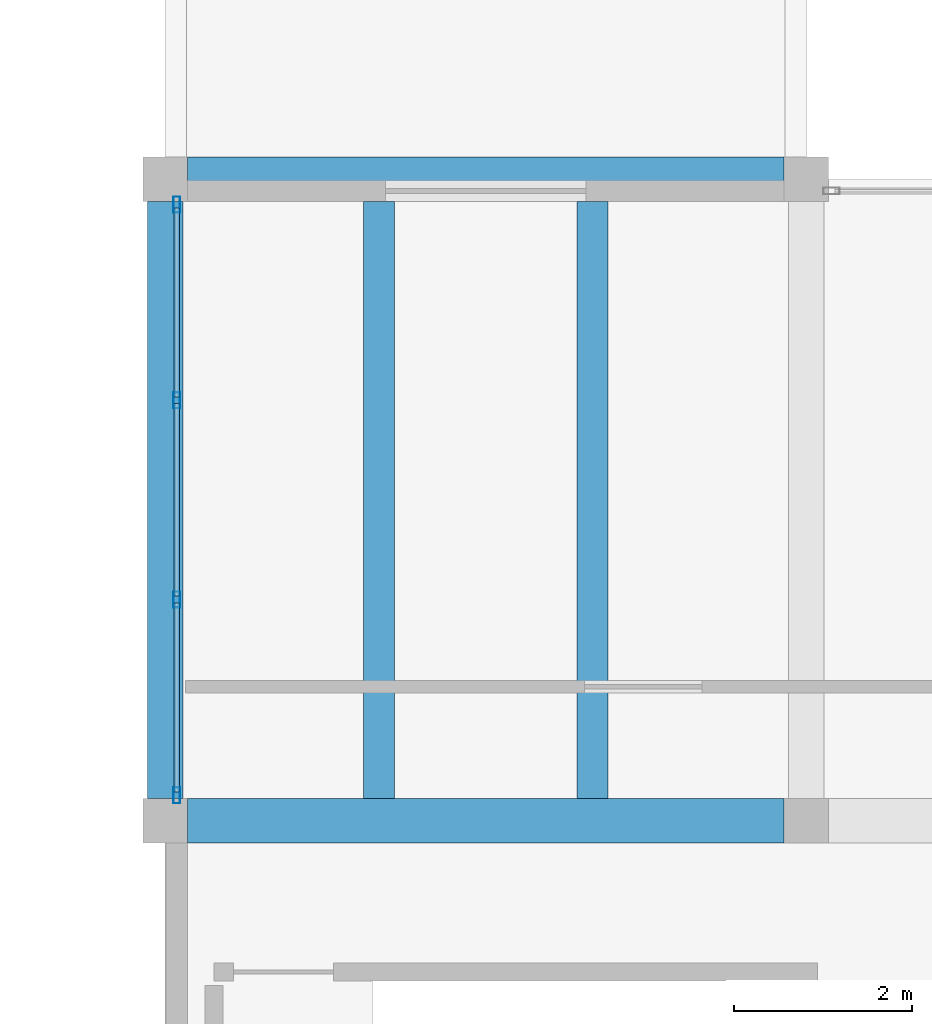
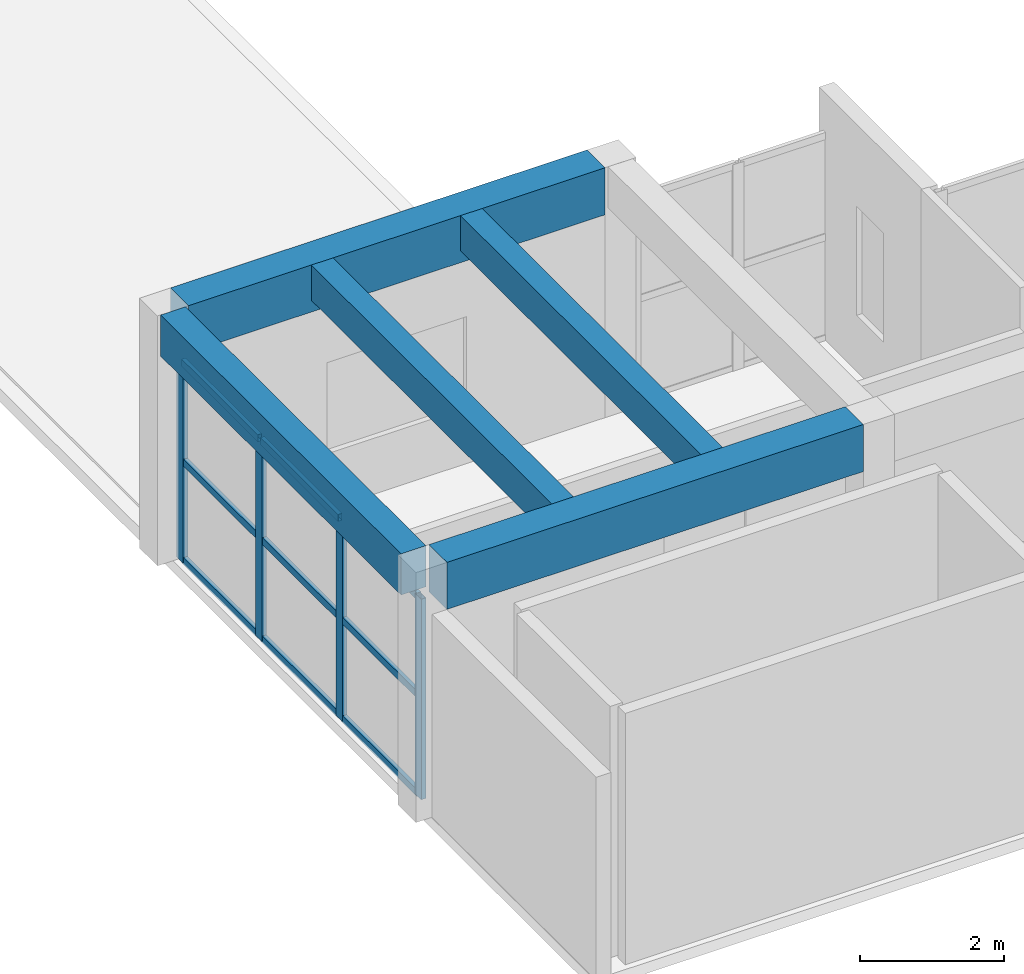
# One storey, part 10 of 153: 13 members, 5 beams, 1 element without a shape of its own.
"""IFC4 building model written with IfcOpenShell, lengths in metres."""

from ifc_helpers import new_model, si_unit, direction, frame, origin, origin_2d, place, context, subcontext, project, spatial, rectangle, hollow_rectangle, extrude, material, material_profile, profile_set, type_object, element, aggregate, save


model = new_model("IFC4")

# Units and contexts
model_context = context("Model", 3, precision=1e-05, world=origin(), true_north=direction((0.0, 1.0)))
body_context = subcontext(model_context, "Body", "Model", "MODEL_VIEW")
ifc_project = project(units=[si_unit("LENGTHUNIT", "METRE"), si_unit("AREAUNIT", "SQUARE_METRE"), si_unit("VOLUMEUNIT", "CUBIC_METRE"), si_unit("PLANEANGLEUNIT", "RADIAN"), si_unit("MASSUNIT", "GRAM", prefix="KILO")], contexts=[model_context])

# Site, building, storey
site_placement = place(None, origin())
site = spatial("IfcSite", under=ifc_project, at=site_placement, CompositionType="ELEMENT")
building_placement = place(site_placement, origin())
building = spatial("IfcBuilding", under=site, at=building_placement, Name="Bramvelor Terrace Health Centre", CompositionType="ELEMENT")
storey_placement = place(building_placement, frame((0.0, 0.0, 4.800048828125)))
storey = spatial("IfcBuildingStorey", under=building, at=storey_placement, Name="L02", CompositionType="ELEMENT", Elevation=4.800048828125)

# Beams
ifc_material_1 = material(Name="Concrete C40/50", Category="concrete")
ifc_material_profile_1 = material_profile(ifc_material_1, rectangle(XDim=0.39990234375, YDim=0.699951171875, at=origin_2d()), Name="RC 400x700")
ifc_profile_set_1 = profile_set([ifc_material_profile_1], Name="Concrete C40/50")
beam_type_1 = type_object("IfcBeamType", Name="BM-RC-G700", PredefinedType="BEAM", material=ifc_profile_set_1)
beam_placement = place(storey_placement, frame((57.60009765625, 7.449951171875, 3.89990234375), z_axis=(0.0, 1.0, 0.0), x_axis=(-1.0, 0.0, 0.0)))
element("IfcBeam", 1, at=beam_placement, inside=storey, type_object=beam_type_1, Name="L02 Floor Girder", PredefinedType="BEAM", context=body_context, shape_type="SweptSolid", body=[
    extrude(rectangle(XDim=0.39990234375, YDim=0.699951171875, at=origin_2d()), origin(), (0.0, 0.0, 1.0), 6.699951171875),
])
ifc_material_2 = material(Name="Concrete C40/50", Category="concrete")
ifc_material_profile_2 = material_profile(ifc_material_2, rectangle(XDim=0.5, YDim=0.800048828125, at=origin_2d()), Name="RC 500x800")
ifc_profile_set_2 = profile_set([ifc_material_profile_2], Name="Concrete C40/50")
beam_type_2 = type_object("IfcBeamType", Name="BM-RC-G800", PredefinedType="BEAM", material=ifc_profile_set_2)
for number, where, z_axis, x_axis, name in (
    (2, (57.85009765625, 7.199951171875, 3.849853515625), (1.0, 0.0, 0.0), (0.0, 1.0, 0.0), "L02 Floor Girder"),
    (3, (57.85009765625, 14.39990234375, 3.849853515625), (1.0, 0.0, 0.0), (0.0, 1.0, 0.0), "L02 Floor Girder"),
):
    element("IfcBeam", number, at=place(storey_placement, frame(where, z_axis=z_axis, x_axis=x_axis)), inside=storey, type_object=beam_type_2, Name=name, PredefinedType="BEAM", context=body_context, shape_type="SweptSolid", body=[
        extrude(rectangle(XDim=0.5, YDim=0.800048828125, at=origin_2d()), origin(), (0.0, 0.0, 1.0), 6.699951171875),
    ])
ifc_material_3 = material(Name="Concrete C40/50", Category="concrete")
ifc_material_profile_3 = material_profile(ifc_material_3, rectangle(XDim=0.35009765625, YDim=0.60009765625, at=origin_2d()), Name="RC 350x600")
ifc_profile_set_3 = profile_set([ifc_material_profile_3], Name="Concrete C40/50")
beam_type_3 = type_object("IfcBeamType", Name="BM-RC-J600", PredefinedType="JOIST", material=ifc_profile_set_3)
for number, where, z_axis, x_axis, name in (
    (4, (60.0, 7.449951171875, 3.949951171875), (0.0, 1.0, 0.0), (-1.0, 0.0, 0.0), "L02 Secondary Floor Joist"),
    (5, (62.39990234375, 7.449951171875, 3.949951171875), (0.0, 1.0, 0.0), (-1.0, 0.0, 0.0), "L02 Secondary Floor Joist"),
):
    element("IfcBeam", number, at=place(storey_placement, frame(where, z_axis=z_axis, x_axis=x_axis)), inside=storey, type_object=beam_type_3, Name=name, PredefinedType="JOIST", context=body_context, shape_type="SweptSolid", body=[
        extrude(rectangle(XDim=0.35009765625, YDim=0.60009765625, at=origin_2d()), origin(), (0.0, 0.0, 1.0), 6.699951171875),
    ])

# Curtain wall, members
ifc_material_4 = material(Name="Anodized aluminium and double low-E glass", Category="aluminium")
curtain_wall_type = type_object("IfcCurtainWallType", Name="CW-SYS-16", PredefinedType="NOTDEFINED", material=ifc_material_4)
curtain_wall_placement = place(storey_placement, origin())
curtain_wall = element("IfcCurtainWall", 6, at=curtain_wall_placement, inside=storey, type_object=curtain_wall_type, Name="L02 Unitized Curtain Wall 148", PredefinedType="NOTDEFINED")
ifc_material_5 = material(Name="Anodized aluminium 6063-T6", Category="aluminium")
ifc_material_profile_4 = material_profile(ifc_material_5, hollow_rectangle(XDim=0.074951171875, YDim=0.179931640625, WallThickness=0.00341796875, at=origin_2d()), Name="ALU-MUL 75x180x3.5")
ifc_profile_set_4 = profile_set([ifc_material_profile_4], Name="Anodized aluminium 6063-T6")
member_type_1 = type_object("IfcMemberType", Name="CW-MUL-65x180", PredefinedType="MULLION", material=ifc_profile_set_4)
member_1_placement = place(storey_placement, frame((57.72998046875, 7.482421875, 0.0), z_axis=(0.0, 0.0, 1.0), x_axis=(-1.0, 0.0, 0.0)))
member_1 = element("IfcMember", 7, at=member_1_placement, type_object=member_type_1, Name="CW-16 mullion 1", PredefinedType="MULLION", context=body_context, shape_type="SweptSolid", body=[
    extrude(hollow_rectangle(XDim=0.074951171875, YDim=0.179931640625, WallThickness=0.00341796875, at=origin_2d()), origin(), (0.0, 0.0, 1.0), 3.409912109375),
])
member_2_placement = place(storey_placement, frame((57.72998046875, 9.681640625, 0.0), z_axis=(0.0, 0.0, 1.0), x_axis=(-1.0, 0.0, 0.0)))
member_2 = element("IfcMember", 8, at=member_2_placement, type_object=member_type_1, Name="CW-16 mullion 2", PredefinedType="MULLION", context=body_context, shape_type="SweptSolid", body=[
    extrude(hollow_rectangle(XDim=0.074951171875, YDim=0.179931640625, WallThickness=0.00341796875, at=origin_2d()), origin(), (0.0, 0.0, 1.0), 3.409912109375),
])
member_3_placement = place(storey_placement, frame((57.72998046875, 11.918212890625, 0.0), z_axis=(0.0, 0.0, 1.0), x_axis=(-1.0, 0.0, 0.0)))
member_3 = element("IfcMember", 9, at=member_3_placement, type_object=member_type_1, Name="CW-16 mullion 3", PredefinedType="MULLION", context=body_context, shape_type="SweptSolid", body=[
    extrude(hollow_rectangle(XDim=0.074951171875, YDim=0.179931640625, WallThickness=0.00341796875, at=origin_2d()), origin(), (0.0, 0.0, 1.0), 3.409912109375),
])
member_4_placement = place(storey_placement, frame((57.72998046875, 14.117431640625, 0.0), z_axis=(0.0, 0.0, 1.0), x_axis=(-1.0, 0.0, 0.0)))
member_4 = element("IfcMember", 10, at=member_4_placement, type_object=member_type_1, Name="CW-16 mullion 4", PredefinedType="MULLION", context=body_context, shape_type="SweptSolid", body=[
    extrude(hollow_rectangle(XDim=0.074951171875, YDim=0.179931640625, WallThickness=0.00341796875, at=origin_2d()), origin(), (0.0, 0.0, 1.0), 3.409912109375),
])
ifc_material_6 = material(Name="Anodized aluminium 6063-T6", Category="aluminium")
ifc_material_profile_5 = material_profile(ifc_material_6, hollow_rectangle(XDim=0.06494140625, YDim=0.1201171875, WallThickness=0.0029296875, at=origin_2d()), Name="ALU-TRN 65x120x3.0")
ifc_profile_set_5 = profile_set([ifc_material_profile_5], Name="Anodized aluminium 6063-T6")
member_type_2 = type_object("IfcMemberType", Name="CW-TRN-65x150", PredefinedType="USERDEFINED", material=ifc_profile_set_5)
member_5_placement = place(storey_placement, frame((57.72998046875, 7.52001953125, 0.032470703125), z_axis=(0.0, 1.0, 0.0), x_axis=(-1.0, 0.0, 0.0)))
member_5 = element("IfcMember", 11, at=member_5_placement, type_object=member_type_2, Name="CW-16 transom 1.1", ObjectType="TRANSOM", PredefinedType="USERDEFINED", context=body_context, shape_type="SweptSolid", body=[
    extrude(hollow_rectangle(XDim=0.06494140625, YDim=0.1201171875, WallThickness=0.0029296875, at=origin_2d()), origin(), (0.0, 0.0, 1.0), 2.124267578125),
])
member_6_placement = place(storey_placement, frame((57.72998046875, 7.52001953125, 1.704833984375), z_axis=(0.0, 1.0, 0.0), x_axis=(-1.0, 0.0, 0.0)))
member_6 = element("IfcMember", 12, at=member_6_placement, type_object=member_type_2, Name="CW-16 transom 1.2", ObjectType="TRANSOM", PredefinedType="USERDEFINED", context=body_context, shape_type="SweptSolid", body=[
    extrude(hollow_rectangle(XDim=0.06494140625, YDim=0.1201171875, WallThickness=0.0029296875, at=origin_2d()), origin(), (0.0, 0.0, 1.0), 2.124267578125),
])
member_7_placement = place(storey_placement, frame((57.72998046875, 7.52001953125, 3.37744140625), z_axis=(0.0, 1.0, 0.0), x_axis=(-1.0, 0.0, 0.0)))
member_7 = element("IfcMember", 13, at=member_7_placement, type_object=member_type_2, Name="CW-16 transom 1.3", ObjectType="TRANSOM", PredefinedType="USERDEFINED", context=body_context, shape_type="SweptSolid", body=[
    extrude(hollow_rectangle(XDim=0.06494140625, YDim=0.1201171875, WallThickness=0.0029296875, at=origin_2d()), origin(), (0.0, 0.0, 1.0), 2.124267578125),
])
member_8_placement = place(storey_placement, frame((57.72998046875, 9.71923828125, 0.032470703125), z_axis=(0.0, 1.0, 0.0), x_axis=(-1.0, 0.0, 0.0)))
member_8 = element("IfcMember", 14, at=member_8_placement, type_object=member_type_2, Name="CW-16 transom 2.1", ObjectType="TRANSOM", PredefinedType="USERDEFINED", context=body_context, shape_type="SweptSolid", body=[
    extrude(hollow_rectangle(XDim=0.06494140625, YDim=0.1201171875, WallThickness=0.0029296875, at=origin_2d()), origin(), (0.0, 0.0, 1.0), 2.16162109375),
])
member_9_placement = place(storey_placement, frame((57.72998046875, 9.71923828125, 1.704833984375), z_axis=(0.0, 1.0, 0.0), x_axis=(-1.0, 0.0, 0.0)))
member_9 = element("IfcMember", 15, at=member_9_placement, type_object=member_type_2, Name="CW-16 transom 2.2", ObjectType="TRANSOM", PredefinedType="USERDEFINED", context=body_context, shape_type="SweptSolid", body=[
    extrude(hollow_rectangle(XDim=0.06494140625, YDim=0.1201171875, WallThickness=0.0029296875, at=origin_2d()), origin(), (0.0, 0.0, 1.0), 2.16162109375),
])
member_10_placement = place(storey_placement, frame((57.72998046875, 9.71923828125, 3.37744140625), z_axis=(0.0, 1.0, 0.0), x_axis=(-1.0, 0.0, 0.0)))
member_10 = element("IfcMember", 16, at=member_10_placement, type_object=member_type_2, Name="CW-16 transom 2.3", ObjectType="TRANSOM", PredefinedType="USERDEFINED", context=body_context, shape_type="SweptSolid", body=[
    extrude(hollow_rectangle(XDim=0.06494140625, YDim=0.1201171875, WallThickness=0.0029296875, at=origin_2d()), origin(), (0.0, 0.0, 1.0), 2.16162109375),
])
member_11_placement = place(storey_placement, frame((57.72998046875, 11.955810546875, 0.032470703125), z_axis=(0.0, 1.0, 0.0), x_axis=(-1.0, 0.0, 0.0)))
member_11 = element("IfcMember", 17, at=member_11_placement, type_object=member_type_2, Name="CW-16 transom 3.1", ObjectType="TRANSOM", PredefinedType="USERDEFINED", context=body_context, shape_type="SweptSolid", body=[
    extrude(hollow_rectangle(XDim=0.06494140625, YDim=0.1201171875, WallThickness=0.0029296875, at=origin_2d()), origin(), (0.0, 0.0, 1.0), 2.124267578125),
])
member_12_placement = place(storey_placement, frame((57.72998046875, 11.955810546875, 1.704833984375), z_axis=(0.0, 1.0, 0.0), x_axis=(-1.0, 0.0, 0.0)))
member_12 = element("IfcMember", 18, at=member_12_placement, type_object=member_type_2, Name="CW-16 transom 3.2", ObjectType="TRANSOM", PredefinedType="USERDEFINED", context=body_context, shape_type="SweptSolid", body=[
    extrude(hollow_rectangle(XDim=0.06494140625, YDim=0.1201171875, WallThickness=0.0029296875, at=origin_2d()), origin(), (0.0, 0.0, 1.0), 2.124267578125),
])
member_13_placement = place(storey_placement, frame((57.72998046875, 11.955810546875, 3.37744140625), z_axis=(0.0, 1.0, 0.0), x_axis=(-1.0, 0.0, 0.0)))
member_13 = element("IfcMember", 19, at=member_13_placement, type_object=member_type_2, Name="CW-16 transom 3.3", ObjectType="TRANSOM", PredefinedType="USERDEFINED", context=body_context, shape_type="SweptSolid", body=[
    extrude(hollow_rectangle(XDim=0.06494140625, YDim=0.1201171875, WallThickness=0.0029296875, at=origin_2d()), origin(), (0.0, 0.0, 1.0), 2.124267578125),
])
aggregate(curtain_wall, [member_1, member_2, member_3, member_4, member_5, member_6, member_7, member_8, member_9, member_10, member_11, member_12, member_13])

save(model, "model.ifc")
